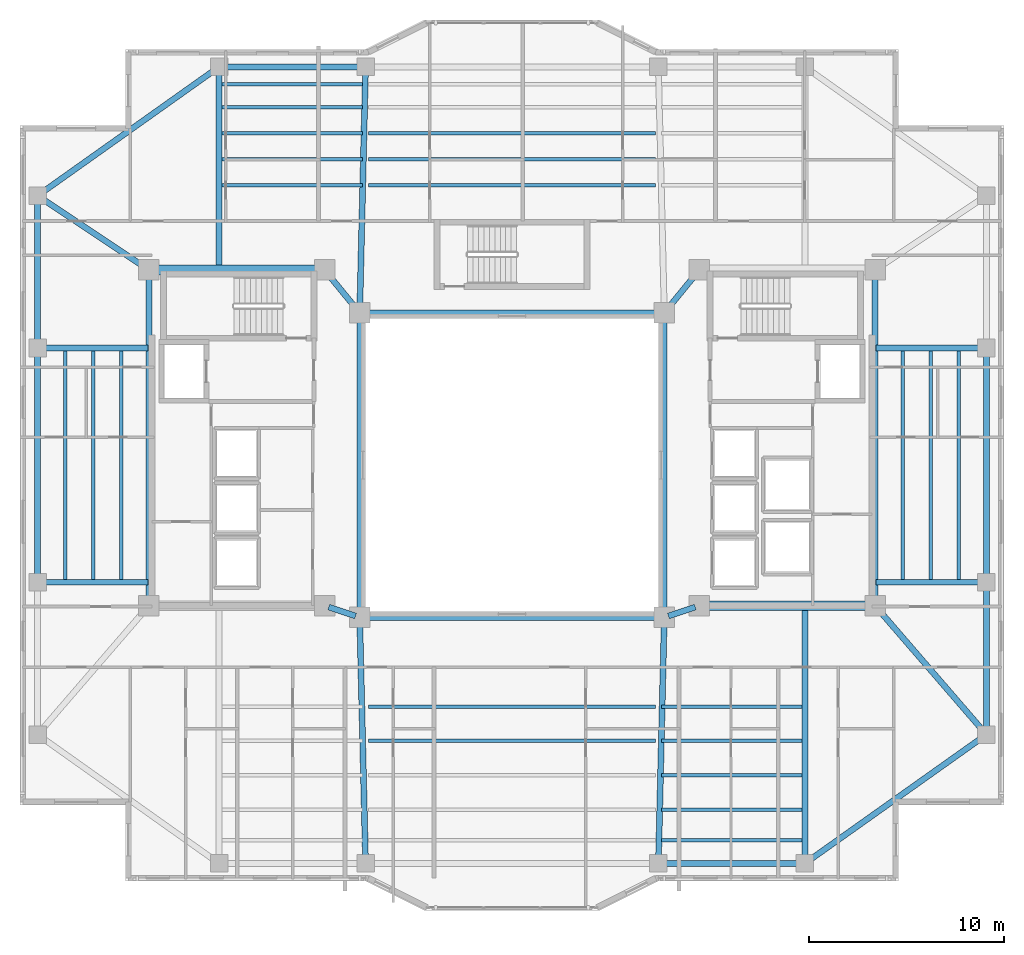
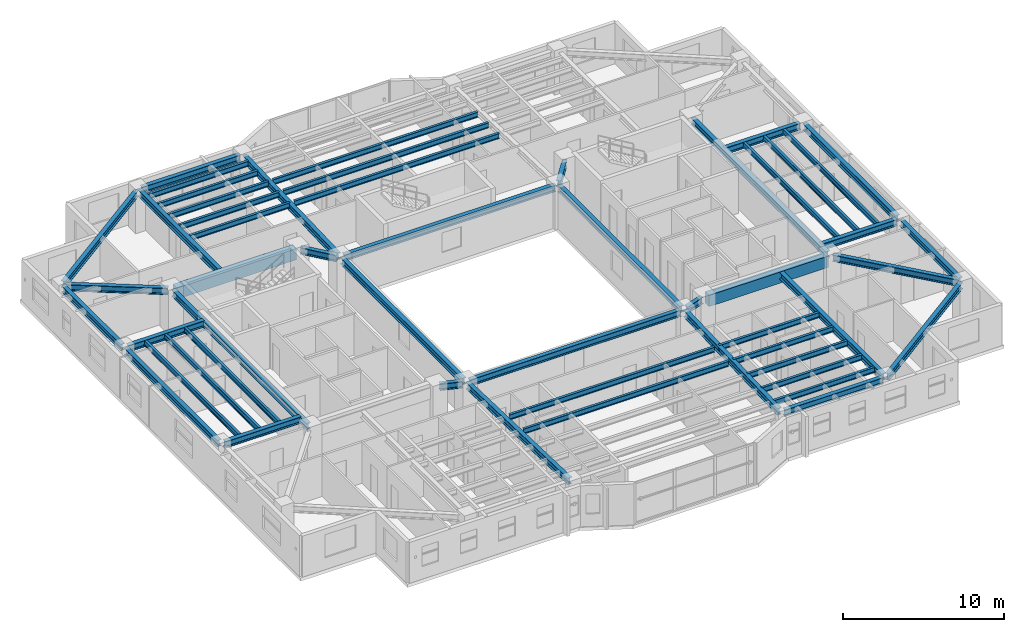
# One storey, part 3 of 16: 52 beams.
"""IFC4 building model written with IfcOpenShell, lengths in metres."""

from ifc_helpers import new_model, si_unit, direction, frame, origin, origin_2d, place, context, subcontext, project, spatial, rectangle, i_section, extrude, material, material_profile, profile_set, type_object, element, save


model = new_model("IFC4")

# Units and contexts
model_context = context("Model", 3, precision=1e-05, world=origin(), true_north=direction((0.0, 1.0)))
body_context = subcontext(model_context, "Body", "Model", "MODEL_VIEW")
ifc_project = project(units=[si_unit("LENGTHUNIT", "METRE"), si_unit("AREAUNIT", "SQUARE_METRE"), si_unit("VOLUMEUNIT", "CUBIC_METRE"), si_unit("PLANEANGLEUNIT", "RADIAN"), si_unit("MASSUNIT", "GRAM", prefix="KILO")], contexts=[model_context])

# Site, building, storey
site_placement = place(None, origin())
site = spatial("IfcSite", under=ifc_project, at=site_placement, CompositionType="ELEMENT")
building_placement = place(site_placement, origin())
building = spatial("IfcBuilding", under=site, at=building_placement, Name="Tarnavaz Court Tower", CompositionType="ELEMENT")
storey_placement = place(building_placement, frame((0.0, 0.0, 166.10009765625)))
storey = spatial("IfcBuildingStorey", under=building, at=storey_placement, Name="L45", CompositionType="ELEMENT", Elevation=166.10009765625)

# Beams
ifc_material_1 = material(Name="Concrete C50/60", Category="concrete")
ifc_material_profile_1 = material_profile(ifc_material_1, rectangle(XDim=0.5, YDim=0.85009765625, at=origin_2d()), Name="RC 500X850")
ifc_profile_set_1 = profile_set([ifc_material_profile_1], Name="Concrete C50/60")
beam_type_1 = type_object("IfcBeamType", Name="BM-CB850", PredefinedType="LINTEL", material=ifc_profile_set_1)
for number, where, z_axis, x_axis, name in (
    (1, (-18.3798828125, 10.0, 2.6748046875), (1.0, 0.0, 0.0), (0.0, 1.0, 0.0), "L45 Beam IN-CW-NO-CW-NI"),
    (2, (18.3798828125, -7.199951171875, 2.6748046875), (-1.0, 0.0, 0.0), (0.0, -1.0, 0.0), "L45 Beam IN-CE-SO-CE-SI"),
):
    element("IfcBeam", number, at=place(storey_placement, frame(where, z_axis=z_axis, x_axis=x_axis)), inside=storey, type_object=beam_type_1, Name=name, PredefinedType="LINTEL", context=body_context, shape_type="SweptSolid", body=[
        extrude(rectangle(XDim=0.5, YDim=0.85009765625, at=origin_2d()), origin(), (0.0, 0.0, 1.0), 8.559814453125),
    ])
ifc_material_2 = material(Name="Steel S355", Category="steel")
ifc_material_profile_2 = material_profile(ifc_material_2, i_section(OverallWidth=0.300048828125, OverallDepth=0.5, WebThickness=0.014404296875, FlangeThickness=0.028076171875, FilletRadius=0.027099609375, at=origin_2d()), Name="HEB 500")
ifc_profile_set_2 = profile_set([ifc_material_profile_2], Name="Steel S355")
beam_type_2 = type_object("IfcBeamType", Name="BM-G-HEB500", PredefinedType="USERDEFINED", material=ifc_profile_set_2)
for number, where, z_axis, x_axis, name in (
    (3, (-9.391357421875, -7.26953125, 2.849853515625), (0.948666544706, -0.316278021615, 0.0), (0.316278021615, 0.948666544706, 0.0), "L45 Beam IN-CW-SI-IW-SW"),
    (4, (9.391357421875, -7.26953125, 2.849853515625), (-0.948666544706, -0.316278021615, 0.0), (0.316278021615, -0.948666544706, 0.0), "L45 Beam IN-CE-SI-IW-SE"),
):
    element("IfcBeam", number, at=place(storey_placement, frame(where, z_axis=z_axis, x_axis=x_axis)), inside=storey, type_object=beam_type_2, Name=name, ObjectType="GIRDER", PredefinedType="USERDEFINED", context=body_context, shape_type="SweptSolid", body=[
        extrude(i_section(OverallWidth=0.300048828125, OverallDepth=0.5, WebThickness=0.014404296875, FlangeThickness=0.028076171875, FilletRadius=0.027099609375, at=origin_2d()), origin(), (0.0, 0.0, 1.0), 1.457275390625),
    ])
for number, where, z_axis, x_axis, name in (
    (5, (-9.460693359375, 9.82958984375, 2.849853515625), (0.633282058357, -0.773921077735, 0.0), (0.773921077735, 0.633282058357, 0.0), "L45 Beam IN-CW-NI-IW-NW"),
    (6, (9.460693359375, 9.82958984375, 2.849853515625), (-0.633282058357, -0.773921077735, 0.0), (0.773921077735, -0.633282058357, 0.0), "L45 Beam IN-CE-NI-IW-NE"),
):
    element("IfcBeam", number, at=place(storey_placement, frame(where, z_axis=z_axis, x_axis=x_axis)), inside=storey, type_object=beam_type_2, Name=name, ObjectType="GIRDER", PredefinedType="USERDEFINED", context=body_context, shape_type="SweptSolid", body=[
        extrude(i_section(OverallWidth=0.300048828125, OverallDepth=0.5, WebThickness=0.014404296875, FlangeThickness=0.028076171875, FilletRadius=0.027099609375, at=origin_2d()), origin(), (0.0, 0.0, 1.0), 2.402587890625),
    ])
for number, where, z_axis, x_axis, name in (
    (7, (-18.60009765625, -6.97998046875, 2.849853515625), (0.0, 1.0, 0.0), (-1.0, 0.0, 0.0), "L45 Beam IN-CW-SO-CW-NO"),
    (8, (18.60009765625, -6.97998046875, 2.849853515625), (0.0, 1.0, 0.0), (-1.0, 0.0, 0.0), "L45 Beam IN-CE-SO-CE-NO"),
):
    element("IfcBeam", number, at=place(storey_placement, frame(where, z_axis=z_axis, x_axis=x_axis)), inside=storey, type_object=beam_type_2, Name=name, ObjectType="GIRDER", PredefinedType="USERDEFINED", context=body_context, shape_type="SweptSolid", body=[
        extrude(i_section(OverallWidth=0.300048828125, OverallDepth=0.5, WebThickness=0.014404296875, FlangeThickness=0.028076171875, FilletRadius=0.027099609375, at=origin_2d()), origin(), (0.0, 0.0, 1.0), 16.760009765625),
    ])
beam_1_placement = place(storey_placement, frame((-15.0, 10.0400390625, 2.849853515625), z_axis=(0.0, 1.0, 0.0), x_axis=(-1.0, 0.0, 0.0)))
element("IfcBeam", 9, at=beam_1_placement, inside=storey, type_object=beam_type_2, Name="L45 Beam RG-01", ObjectType="GIRDER", PredefinedType="USERDEFINED", context=body_context, shape_type="SweptSolid", body=[
    extrude(i_section(OverallWidth=0.300048828125, OverallDepth=0.5, WebThickness=0.014404296875, FlangeThickness=0.028076171875, FilletRadius=0.027099609375, at=origin_2d()), origin(), (0.0, 0.0, 1.0), 10.139892578125),
])
for number, where, z_axis, x_axis, name in (
    (10, (-7.794921875, 8.02001953125, 2.849853515625), (0.023824748444, 0.999716150395, 0.0), (-0.999716150395, 0.023824748444, 0.0), "L45 Beam RG-02"),
    (11, (-7.794921875, -8.02001953125, 2.849853515625), (0.023824748444, -0.999716150395, 0.0), (0.999716150395, 0.023824748444, 0.0), "L45 Beam RG-06"),
    (12, (7.794921875, -8.02001953125, 2.849853515625), (-0.023824748444, -0.999716150395, 0.0), (0.999716150395, -0.023824748444, 0.0), "L45 Beam RG-07"),
):
    element("IfcBeam", number, at=place(storey_placement, frame(where, z_axis=z_axis, x_axis=x_axis)), inside=storey, type_object=beam_type_2, Name=name, ObjectType="GIRDER", PredefinedType="USERDEFINED", context=body_context, shape_type="SweptSolid", body=[
        extrude(i_section(OverallWidth=0.300048828125, OverallDepth=0.5, WebThickness=0.014404296875, FlangeThickness=0.028076171875, FilletRadius=0.027099609375, at=origin_2d()), origin(), (0.0, 0.0, 1.0), 12.16357421875),
    ])
beam_2_placement = place(storey_placement, frame((15.0, -7.239990234375, 2.849853515625), z_axis=(0.0, -1.0, 0.0), x_axis=(1.0, 0.0, 0.0)))
element("IfcBeam", 13, at=beam_2_placement, inside=storey, type_object=beam_type_2, Name="L45 Beam RG-08", ObjectType="GIRDER", PredefinedType="USERDEFINED", context=body_context, shape_type="SweptSolid", body=[
    extrude(i_section(OverallWidth=0.300048828125, OverallDepth=0.5, WebThickness=0.014404296875, FlangeThickness=0.028076171875, FilletRadius=0.027099609375, at=origin_2d()), origin(), (0.0, 0.0, 1.0), 12.93994140625),
])
for number, where, z_axis, x_axis, name in (
    (14, (18.639892578125, -6.0, 2.849853515625), (1.0, 0.0, 0.0), (0.0, 1.0, 0.0), "L45 Beam RG-09"),
    (15, (18.639892578125, 6.0, 2.849853515625), (1.0, 0.0, 0.0), (0.0, 1.0, 0.0), "L45 Beam RG-10"),
):
    element("IfcBeam", number, at=place(storey_placement, frame(where, z_axis=z_axis, x_axis=x_axis)), inside=storey, type_object=beam_type_2, Name=name, ObjectType="GIRDER", PredefinedType="USERDEFINED", context=body_context, shape_type="SweptSolid", body=[
        extrude(i_section(OverallWidth=0.300048828125, OverallDepth=0.5, WebThickness=0.014404296875, FlangeThickness=0.028076171875, FilletRadius=0.027099609375, at=origin_2d()), origin(), (0.0, 0.0, 1.0), 5.440185546875),
    ])
beam_3_placement = place(storey_placement, frame((18.743896484375, -7.366455078125, 2.849853515625), z_axis=(0.653610659012, -0.756830962914, 0.0), x_axis=(0.756830962914, 0.653610659012, 0.0)))
element("IfcBeam", 16, at=beam_3_placement, inside=storey, type_object=beam_type_2, Name="L45 Beam RG-11", ObjectType="GIRDER", PredefinedType="USERDEFINED", context=body_context, shape_type="SweptSolid", body=[
    extrude(i_section(OverallWidth=0.300048828125, OverallDepth=0.5, WebThickness=0.014404296875, FlangeThickness=0.028076171875, FilletRadius=0.027099609375, at=origin_2d()), origin(), (0.0, 0.0, 1.0), 8.28076171875),
])
for number, where, z_axis, x_axis, name in (
    (17, (-18.639892578125, -6.0, 2.849853515625), (-1.0, 0.0, 0.0), (0.0, -1.0, 0.0), "L45 Beam RG-13"),
    (18, (-18.639892578125, 6.0, 2.849853515625), (-1.0, 0.0, 0.0), (0.0, -1.0, 0.0), "L45 Beam RG-14"),
):
    element("IfcBeam", number, at=place(storey_placement, frame(where, z_axis=z_axis, x_axis=x_axis)), inside=storey, type_object=beam_type_2, Name=name, ObjectType="GIRDER", PredefinedType="USERDEFINED", context=body_context, shape_type="SweptSolid", body=[
        extrude(i_section(OverallWidth=0.300048828125, OverallDepth=0.5, WebThickness=0.014404296875, FlangeThickness=0.028076171875, FilletRadius=0.027099609375, at=origin_2d()), origin(), (0.0, 0.0, 1.0), 5.440185546875),
    ])
beam_4_placement = place(storey_placement, frame((-18.783203125, 10.1220703125, 2.849853515625), z_axis=(-0.832044435051, 0.554708985056, 0.0), x_axis=(-0.554708985056, -0.832044435051, 0.0)))
element("IfcBeam", 19, at=beam_4_placement, inside=storey, type_object=beam_type_2, Name="L45 Beam RG-16", ObjectType="GIRDER", PredefinedType="USERDEFINED", context=body_context, shape_type="SweptSolid", body=[
    extrude(i_section(OverallWidth=0.300048828125, OverallDepth=0.5, WebThickness=0.014404296875, FlangeThickness=0.028076171875, FilletRadius=0.027099609375, at=origin_2d()), origin(), (0.0, 0.0, 1.0), 6.410400390625),
])
ifc_material_profile_3 = material_profile(ifc_material_2, i_section(OverallWidth=0.179931640625, OverallDepth=0.39990234375, WebThickness=0.008544921875, FlangeThickness=0.013427734375, FilletRadius=0.02099609375, at=origin_2d()), Name="IPE 400")
ifc_profile_set_3 = profile_set([ifc_material_profile_3], Name="Steel S355")
beam_type_3 = type_object("IfcBeamType", Name="BM-J-IPE400", PredefinedType="JOIST", material=ifc_profile_set_3)
beam_5_placement = place(storey_placement, frame((-14.85009765625, 14.33203125, 2.89990234375), z_axis=(1.0, 0.0, 0.0), x_axis=(0.0, 1.0, 0.0)))
element("IfcBeam", 20, at=beam_5_placement, inside=storey, type_object=beam_type_3, Name="L45 Beam JN1-1", PredefinedType="JOIST", context=body_context, shape_type="SweptSolid", body=[
    extrude(i_section(OverallWidth=0.179931640625, OverallDepth=0.39990234375, WebThickness=0.008544921875, FlangeThickness=0.013427734375, FilletRadius=0.02099609375, at=origin_2d()), origin(), (0.0, 0.0, 1.0), 7.2001953125),
])
for number, where, z_axis, x_axis, name in (
    (21, (-7.35009765625, 14.33203125, 2.89990234375), (1.0, 0.0, 0.0), (0.0, 1.0, 0.0), "L45 Beam JN1-2"),
    (22, (-7.35009765625, -12.364013671875, 2.89990234375), (1.0, 0.0, 0.0), (0.0, 1.0, 0.0), "L45 Beam JS1-2"),
):
    element("IfcBeam", number, at=place(storey_placement, frame(where, z_axis=z_axis, x_axis=x_axis)), inside=storey, type_object=beam_type_3, Name=name, PredefinedType="JOIST", context=body_context, shape_type="SweptSolid", body=[
        extrude(i_section(OverallWidth=0.179931640625, OverallDepth=0.39990234375, WebThickness=0.008544921875, FlangeThickness=0.013427734375, FilletRadius=0.02099609375, at=origin_2d()), origin(), (0.0, 0.0, 1.0), 14.7001953125),
    ])
for number, where, z_axis, x_axis, name in (
    (23, (7.64990234375, -12.364013671875, 2.89990234375), (1.0, 0.0, 0.0), (0.0, 1.0, 0.0), "L45 Beam JS1-3"),
    (24, (-14.85009765625, 15.6640625, 2.89990234375), (1.0, 0.0, 0.0), (0.0, 1.0, 0.0), "L45 Beam JN2-1"),
):
    element("IfcBeam", number, at=place(storey_placement, frame(where, z_axis=z_axis, x_axis=x_axis)), inside=storey, type_object=beam_type_3, Name=name, PredefinedType="JOIST", context=body_context, shape_type="SweptSolid", body=[
        extrude(i_section(OverallWidth=0.179931640625, OverallDepth=0.39990234375, WebThickness=0.008544921875, FlangeThickness=0.013427734375, FilletRadius=0.02099609375, at=origin_2d()), origin(), (0.0, 0.0, 1.0), 7.2001953125),
    ])
for number, where, z_axis, x_axis, name in (
    (25, (-7.35009765625, 15.6640625, 2.89990234375), (1.0, 0.0, 0.0), (0.0, 1.0, 0.0), "L45 Beam JN2-2"),
    (26, (-7.35009765625, -14.1279296875, 2.89990234375), (1.0, 0.0, 0.0), (0.0, 1.0, 0.0), "L45 Beam JS2-2"),
):
    element("IfcBeam", number, at=place(storey_placement, frame(where, z_axis=z_axis, x_axis=x_axis)), inside=storey, type_object=beam_type_3, Name=name, PredefinedType="JOIST", context=body_context, shape_type="SweptSolid", body=[
        extrude(i_section(OverallWidth=0.179931640625, OverallDepth=0.39990234375, WebThickness=0.008544921875, FlangeThickness=0.013427734375, FilletRadius=0.02099609375, at=origin_2d()), origin(), (0.0, 0.0, 1.0), 14.7001953125),
    ])
for number, where, z_axis, x_axis, name in (
    (27, (7.64990234375, -14.1279296875, 2.89990234375), (1.0, 0.0, 0.0), (0.0, 1.0, 0.0), "L45 Beam JS2-3"),
    (28, (-14.85009765625, 16.99609375, 2.89990234375), (1.0, 0.0, 0.0), (0.0, 1.0, 0.0), "L45 Beam JN3-1"),
):
    element("IfcBeam", number, at=place(storey_placement, frame(where, z_axis=z_axis, x_axis=x_axis)), inside=storey, type_object=beam_type_3, Name=name, PredefinedType="JOIST", context=body_context, shape_type="SweptSolid", body=[
        extrude(i_section(OverallWidth=0.179931640625, OverallDepth=0.39990234375, WebThickness=0.008544921875, FlangeThickness=0.013427734375, FilletRadius=0.02099609375, at=origin_2d()), origin(), (0.0, 0.0, 1.0), 7.2001953125),
    ])
beam_6_placement = place(storey_placement, frame((-7.35009765625, 16.99609375, 2.89990234375), z_axis=(1.0, 0.0, 0.0), x_axis=(0.0, 1.0, 0.0)))
element("IfcBeam", 29, at=beam_6_placement, inside=storey, type_object=beam_type_3, Name="L45 Beam JN3-2", PredefinedType="JOIST", context=body_context, shape_type="SweptSolid", body=[
    extrude(i_section(OverallWidth=0.179931640625, OverallDepth=0.39990234375, WebThickness=0.008544921875, FlangeThickness=0.013427734375, FilletRadius=0.02099609375, at=origin_2d()), origin(), (0.0, 0.0, 1.0), 14.7001953125),
])
for number, where, z_axis, x_axis, name in (
    (30, (7.64990234375, -15.89208984375, 2.89990234375), (1.0, 0.0, 0.0), (0.0, 1.0, 0.0), "L45 Beam JS3-3"),
    (31, (-14.85009765625, 18.327880859375, 2.89990234375), (1.0, 0.0, 0.0), (0.0, 1.0, 0.0), "L45 Beam JN4-1"),
    (32, (7.64990234375, -17.656005859375, 2.89990234375), (1.0, 0.0, 0.0), (0.0, 1.0, 0.0), "L45 Beam JS4-3"),
    (33, (-14.85009765625, 19.511962890625, 2.89990234375), (1.0, 0.0, 0.0), (0.0, 1.0, 0.0), "L45 Beam JN5-1"),
    (34, (7.64990234375, -19.22412109375, 2.89990234375), (1.0, 0.0, 0.0), (0.0, 1.0, 0.0), "L45 Beam JS5-3"),
):
    element("IfcBeam", number, at=place(storey_placement, frame(where, z_axis=z_axis, x_axis=x_axis)), inside=storey, type_object=beam_type_3, Name=name, PredefinedType="JOIST", context=body_context, shape_type="SweptSolid", body=[
        extrude(i_section(OverallWidth=0.179931640625, OverallDepth=0.39990234375, WebThickness=0.008544921875, FlangeThickness=0.013427734375, FilletRadius=0.02099609375, at=origin_2d()), origin(), (0.0, 0.0, 1.0), 7.2001953125),
    ])
for number, where, z_axis, x_axis, name in (
    (35, (20.02490234375, -5.9599609375, 2.89990234375), (0.0, 1.0, 0.0), (-1.0, 0.0, 0.0), "L45 Beam JE1"),
    (36, (-20.02490234375, -5.9599609375, 2.89990234375), (0.0, 1.0, 0.0), (-1.0, 0.0, 0.0), "L45 Beam JW1"),
    (37, (21.449951171875, -5.9599609375, 2.89990234375), (0.0, 1.0, 0.0), (-1.0, 0.0, 0.0), "L45 Beam JE2"),
    (38, (-21.449951171875, -5.9599609375, 2.89990234375), (0.0, 1.0, 0.0), (-1.0, 0.0, 0.0), "L45 Beam JW2"),
    (39, (22.875, -5.9599609375, 2.89990234375), (0.0, 1.0, 0.0), (-1.0, 0.0, 0.0), "L45 Beam JE3"),
    (40, (-22.875, -5.9599609375, 2.89990234375), (0.0, 1.0, 0.0), (-1.0, 0.0, 0.0), "L45 Beam JW3"),
):
    element("IfcBeam", number, at=place(storey_placement, frame(where, z_axis=z_axis, x_axis=x_axis)), inside=storey, type_object=beam_type_3, Name=name, PredefinedType="JOIST", context=body_context, shape_type="SweptSolid", body=[
        extrude(i_section(OverallWidth=0.179931640625, OverallDepth=0.39990234375, WebThickness=0.008544921875, FlangeThickness=0.013427734375, FilletRadius=0.02099609375, at=origin_2d()), origin(), (0.0, 0.0, 1.0), 11.919921875),
    ])
ifc_material_profile_4 = material_profile(ifc_material_2, i_section(OverallWidth=0.300048828125, OverallDepth=0.489990234375, WebThickness=0.011962890625, FlangeThickness=0.02294921875, FilletRadius=0.027099609375, at=origin_2d()), Name="HEA 500")
ifc_profile_set_4 = profile_set([ifc_material_profile_4], Name="Steel S355")
beam_type_4 = type_object("IfcBeamType", Name="BM-SP-HEA500", PredefinedType="SPANDREL", material=ifc_profile_set_4)
for number, where, z_axis, x_axis, name in (
    (41, (-7.580078125, -7.800048828125, 2.85498046875), (1.0, 0.0, 0.0), (0.0, 1.0, 0.0), "L45 Beam IN-IW-SW-IW-SE"),
    (42, (-7.580078125, 7.800048828125, 2.85498046875), (1.0, 0.0, 0.0), (0.0, 1.0, 0.0), "L45 Beam IN-IW-NW-IW-NE"),
    (43, (-7.800048828125, -7.580078125, 2.85498046875), (0.0, 1.0, 0.0), (-1.0, 0.0, 0.0), "L45 Beam IN-IW-SW-IW-NW"),
    (44, (7.800048828125, -7.580078125, 2.85498046875), (0.0, 1.0, 0.0), (-1.0, 0.0, 0.0), "L45 Beam IN-IW-SE-IW-NE"),
):
    element("IfcBeam", number, at=place(storey_placement, frame(where, z_axis=z_axis, x_axis=x_axis)), inside=storey, type_object=beam_type_4, Name=name, PredefinedType="SPANDREL", context=body_context, shape_type="SweptSolid", body=[
        extrude(i_section(OverallWidth=0.300048828125, OverallDepth=0.489990234375, WebThickness=0.011962890625, FlangeThickness=0.02294921875, FilletRadius=0.027099609375, at=origin_2d()), origin(), (0.0, 0.0, 1.0), 15.16015625),
    ])
for number, where, z_axis, x_axis, name in (
    (45, (-14.780029296875, 20.39990234375, 2.85498046875), (1.0, 0.0, 0.0), (0.0, 1.0, 0.0), "L45 Beam PR-PN-1-PN-2"),
    (46, (7.719970703125, -20.39990234375, 2.85498046875), (1.0, 0.0, 0.0), (0.0, 1.0, 0.0), "L45 Beam PR-PS-3-PS-4"),
):
    element("IfcBeam", number, at=place(storey_placement, frame(where, z_axis=z_axis, x_axis=x_axis)), inside=storey, type_object=beam_type_4, Name=name, PredefinedType="SPANDREL", context=body_context, shape_type="SweptSolid", body=[
        extrude(i_section(OverallWidth=0.300048828125, OverallDepth=0.489990234375, WebThickness=0.011962890625, FlangeThickness=0.02294921875, FilletRadius=0.027099609375, at=origin_2d()), origin(), (0.0, 0.0, 1.0), 7.06005859375),
    ])
beam_7_placement = place(storey_placement, frame((24.300048828125, -13.580078125, 2.85498046875), z_axis=(0.0, 1.0, 0.0), x_axis=(-1.0, 0.0, 0.0)))
element("IfcBeam", 47, at=beam_7_placement, inside=storey, type_object=beam_type_4, Name="L45 Beam PR-PE-1-PE-2", PredefinedType="SPANDREL", context=body_context, shape_type="SweptSolid", body=[
    extrude(i_section(OverallWidth=0.300048828125, OverallDepth=0.489990234375, WebThickness=0.011962890625, FlangeThickness=0.02294921875, FilletRadius=0.027099609375, at=origin_2d()), origin(), (0.0, 0.0, 1.0), 7.360107421875),
])
for number, where, z_axis, x_axis, name in (
    (48, (24.300048828125, -5.780029296875, 2.85498046875), (0.0, 1.0, 0.0), (-1.0, 0.0, 0.0), "L45 Beam PR-PE-2-PE-3"),
    (49, (-24.300048828125, -5.780029296875, 2.85498046875), (0.0, 1.0, 0.0), (-1.0, 0.0, 0.0), "L45 Beam PR-PW-2-PW-3"),
):
    element("IfcBeam", number, at=place(storey_placement, frame(where, z_axis=z_axis, x_axis=x_axis)), inside=storey, type_object=beam_type_4, Name=name, PredefinedType="SPANDREL", context=body_context, shape_type="SweptSolid", body=[
        extrude(i_section(OverallWidth=0.300048828125, OverallDepth=0.489990234375, WebThickness=0.011962890625, FlangeThickness=0.02294921875, FilletRadius=0.027099609375, at=origin_2d()), origin(), (0.0, 0.0, 1.0), 11.56005859375),
    ])
beam_8_placement = place(storey_placement, frame((-24.300048828125, 6.219970703125, 2.85498046875), z_axis=(0.0, 1.0, 0.0), x_axis=(-1.0, 0.0, 0.0)))
element("IfcBeam", 50, at=beam_8_placement, inside=storey, type_object=beam_type_4, Name="L45 Beam PR-PW-3-PW-4", PredefinedType="SPANDREL", context=body_context, shape_type="SweptSolid", body=[
    extrude(i_section(OverallWidth=0.300048828125, OverallDepth=0.489990234375, WebThickness=0.011962890625, FlangeThickness=0.02294921875, FilletRadius=0.027099609375, at=origin_2d()), origin(), (0.0, 0.0, 1.0), 7.360107421875),
])
for number, where, z_axis, x_axis, name in (
    (51, (24.12060546875, -13.92724609375, 2.85498046875), (-0.815502059396, -0.57875417158, 0.0), (0.57875417158, -0.815502059396, 0.0), "L45 Beam PR-PE-1-PS-4"),
    (52, (-24.12060546875, 13.92724609375, 2.85498046875), (0.815502059396, 0.57875417158, 0.0), (-0.57875417158, 0.815502059396, 0.0), "L45 Beam PR-PW-4-PN-1"),
):
    element("IfcBeam", number, at=place(storey_placement, frame(where, z_axis=z_axis, x_axis=x_axis)), inside=storey, type_object=beam_type_4, Name=name, PredefinedType="SPANDREL", context=body_context, shape_type="SweptSolid", body=[
        extrude(i_section(OverallWidth=0.300048828125, OverallDepth=0.489990234375, WebThickness=0.011962890625, FlangeThickness=0.02294921875, FilletRadius=0.027099609375, at=origin_2d()), origin(), (0.0, 0.0, 1.0), 10.964111328125),
    ])

save(model, "model.ifc")
